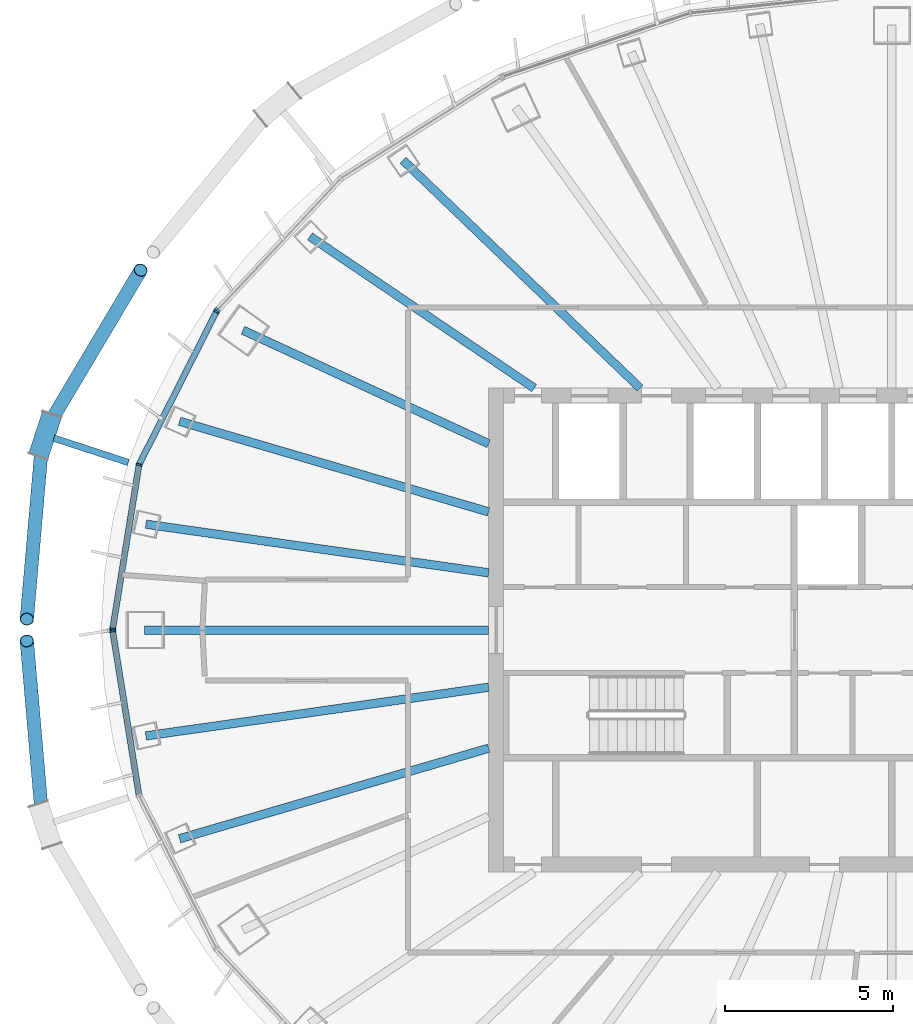
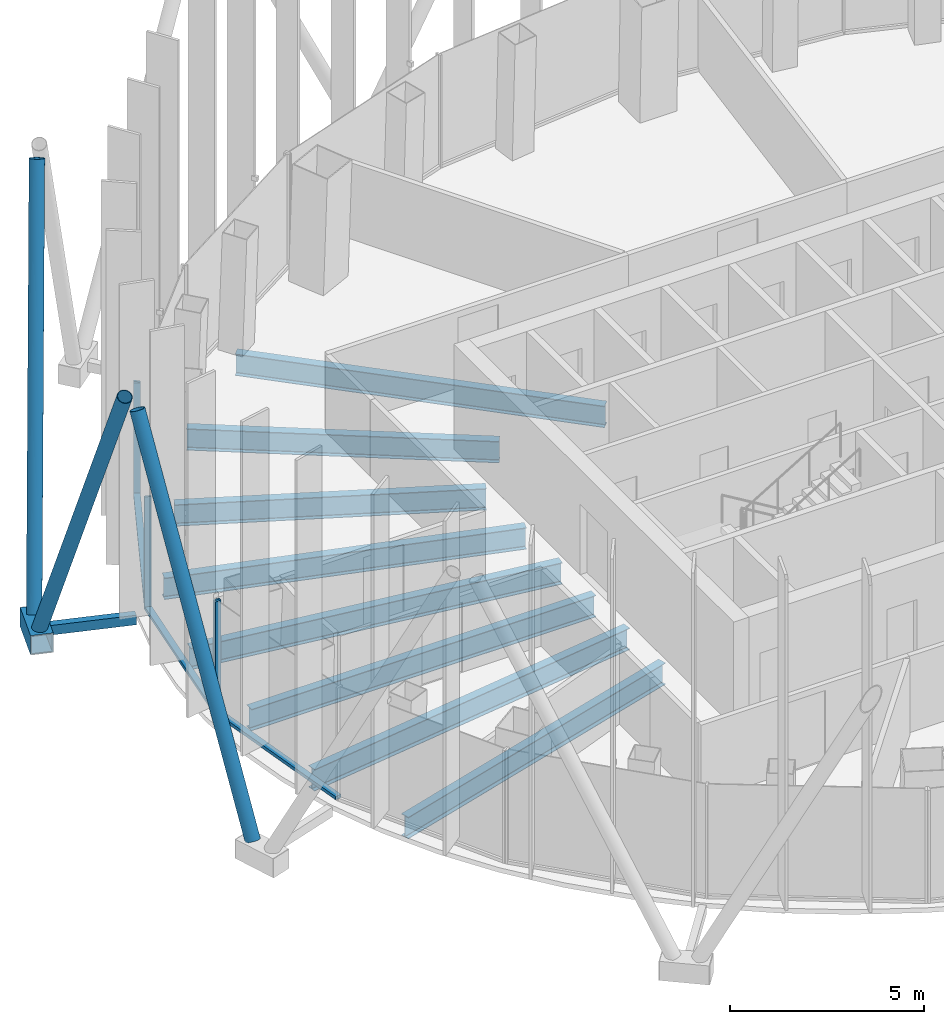
# One storey, part 4 of 19: 13 members, 8 beams, 3 elements without a shape of their own.
"""IFC4 building model written with IfcOpenShell, lengths in metres."""

from ifc_helpers import new_model, si_unit, direction, frame, origin, origin_2d, place, context, subcontext, project, spatial, rectangle, hollow_rectangle, hollow_circle, i_section, extrude, material, layer, layer_set, material_profile, profile_set, type_object, element, aggregate, save


model = new_model("IFC4")

# Units and contexts
model_context = context("Model", 3, precision=1e-05, world=origin(), true_north=direction((0.0, 1.0)))
body_context = subcontext(model_context, "Body", "Model", "MODEL_VIEW")
ifc_project = project(units=[si_unit("LENGTHUNIT", "METRE"), si_unit("AREAUNIT", "SQUARE_METRE"), si_unit("VOLUMEUNIT", "CUBIC_METRE"), si_unit("PLANEANGLEUNIT", "RADIAN"), si_unit("MASSUNIT", "GRAM", prefix="KILO")], contexts=[model_context])

# Site, building, storey
site_placement = place(None, origin())
site = spatial("IfcSite", under=ifc_project, at=site_placement, CompositionType="ELEMENT")
building_placement = place(site_placement, origin())
building = spatial("IfcBuilding", under=site, at=building_placement, Name="Siaravel Broadcast Tower", CompositionType="ELEMENT")
storey_placement = place(building_placement, frame((0.0, 0.0, 179.300048828125)))
storey = spatial("IfcBuildingStorey", under=building, at=storey_placement, Name="L43", CompositionType="ELEMENT", Elevation=179.300048828125)

# Beams
ifc_material_1 = material(Name="Steel S355", Category="steel")
ifc_material_profile_1 = material_profile(ifc_material_1, i_section(OverallWidth=0.2529296875, OverallDepth=0.677978515625, WebThickness=0.01171875, FlangeThickness=0.01611328125, FilletRadius=0.01513671875, at=origin_2d()))
ifc_profile_set_1 = profile_set([ifc_material_profile_1], Name="Steel S355")
beam_type = type_object("IfcBeamType", Name="BM-UB 686x254x125", PredefinedType="BEAM", material=ifc_profile_set_1)
beam_1_placement = place(storey_placement, frame((-14.54736328125, 13.98388671875, -0.489013671875), z_axis=(0.720935136, -0.693002547, 0.0), x_axis=(0.693002547, 0.720935136, 0.0)))
element("IfcBeam", 1, at=beam_1_placement, inside=storey, type_object=beam_type, Name="Radial beam RB14", PredefinedType="BEAM", context=body_context, shape_type="SweptSolid", body=[
    extrude(i_section(OverallWidth=0.2529296875, OverallDepth=0.677978515625, WebThickness=0.01171875, FlangeThickness=0.01611328125, FilletRadius=0.01513671875, at=origin_2d()), origin(), (0.0, 0.0, 1.0), 9.789306640625),
])
beam_2_placement = place(storey_placement, frame((-17.318115234375, 11.714599609375, -0.489013671875), z_axis=(0.828302437, -0.560281245, 0.0), x_axis=(0.560281245, 0.828302437, 0.0)))
element("IfcBeam", 2, at=beam_2_placement, inside=storey, type_object=beam_type, Name="Radial beam RB15", PredefinedType="BEAM", context=body_context, shape_type="SweptSolid", body=[
    extrude(i_section(OverallWidth=0.2529296875, OverallDepth=0.677978515625, WebThickness=0.01171875, FlangeThickness=0.01611328125, FilletRadius=0.01513671875, at=origin_2d()), origin(), (0.0, 0.0, 1.0), 8.057861328125),
])
beam_3_placement = place(storey_placement, frame((-19.31103515625, 8.923828125, -0.489013671875), z_axis=(0.907765873, -0.419477197, 0.0), x_axis=(0.419477197, 0.907765873, 0.0)))
element("IfcBeam", 3, at=beam_3_placement, inside=storey, type_object=beam_type, Name="Radial beam RB16", PredefinedType="BEAM", context=body_context, shape_type="SweptSolid", body=[
    extrude(i_section(OverallWidth=0.2529296875, OverallDepth=0.677978515625, WebThickness=0.01171875, FlangeThickness=0.01611328125, FilletRadius=0.01513671875, at=origin_2d()), origin(), (0.0, 0.0, 1.0), 8.053955078125),
])
beam_4_placement = place(storey_placement, frame((-21.197998046875, 6.212890625, -0.489013671875), z_axis=(0.959633167, -0.281254663, 0.0), x_axis=(0.281254663, 0.959633167, 0.0)))
element("IfcBeam", 4, at=beam_4_placement, inside=storey, type_object=beam_type, Name="Radial beam RB17", PredefinedType="BEAM", context=body_context, shape_type="SweptSolid", body=[
    extrude(i_section(OverallWidth=0.2529296875, OverallDepth=0.677978515625, WebThickness=0.01171875, FlangeThickness=0.01611328125, FilletRadius=0.01513671875, at=origin_2d()), origin(), (0.0, 0.0, 1.0), 9.5849609375),
])
beam_5_placement = place(storey_placement, frame((-22.199951171875, 3.15087890625, -0.489013671875), z_axis=(0.990079883, -0.140505604, 0.0), x_axis=(0.140505604, 0.990079883, 0.0)))
element("IfcBeam", 5, at=beam_5_placement, inside=storey, type_object=beam_type, Name="Radial beam RB18", PredefinedType="BEAM", context=body_context, shape_type="SweptSolid", body=[
    extrude(i_section(OverallWidth=0.2529296875, OverallDepth=0.677978515625, WebThickness=0.01171875, FlangeThickness=0.01611328125, FilletRadius=0.01513671875, at=origin_2d()), origin(), (0.0, 0.0, 1.0), 10.30224609375),
])
beam_6_placement = place(storey_placement, frame((-22.236572265625, 0.0, -0.489013671875), z_axis=(1.0, 0.0, 0.0), x_axis=(0.0, 1.0, 0.0)))
element("IfcBeam", 6, at=beam_6_placement, inside=storey, type_object=beam_type, Name="Radial beam RB19", PredefinedType="BEAM", context=body_context, shape_type="SweptSolid", body=[
    extrude(i_section(OverallWidth=0.2529296875, OverallDepth=0.677978515625, WebThickness=0.01171875, FlangeThickness=0.01611328125, FilletRadius=0.01513671875, at=origin_2d()), origin(), (0.0, 0.0, 1.0), 10.236572265625),
])
beam_7_placement = place(storey_placement, frame((-22.199951171875, -3.15087890625, -0.489013671875), z_axis=(0.990079883, 0.140505604, 0.0), x_axis=(-0.140505604, 0.990079883, 0.0)))
element("IfcBeam", 7, at=beam_7_placement, inside=storey, type_object=beam_type, Name="Radial beam RB20", PredefinedType="BEAM", context=body_context, shape_type="SweptSolid", body=[
    extrude(i_section(OverallWidth=0.2529296875, OverallDepth=0.677978515625, WebThickness=0.01171875, FlangeThickness=0.01611328125, FilletRadius=0.01513671875, at=origin_2d()), origin(), (0.0, 0.0, 1.0), 10.30224609375),
])
beam_8_placement = place(storey_placement, frame((-21.197998046875, -6.212890625, -0.489013671875), z_axis=(0.959633167, 0.281254663, 0.0), x_axis=(-0.281254663, 0.959633167, 0.0)))
element("IfcBeam", 8, at=beam_8_placement, inside=storey, type_object=beam_type, Name="Radial beam RB21", PredefinedType="BEAM", context=body_context, shape_type="SweptSolid", body=[
    extrude(i_section(OverallWidth=0.2529296875, OverallDepth=0.677978515625, WebThickness=0.01171875, FlangeThickness=0.01611328125, FilletRadius=0.01513671875, at=origin_2d()), origin(), (0.0, 0.0, 1.0), 9.5849609375),
])

# Curtain wall, member
ifc_material_2 = material(Name="Aluminium 6063-T6", Category="aluminium")
ifc_layer = layer(ifc_material_2, 0.179931640625)
ifc_layer_set = layer_set([ifc_layer], Name="Aluminium 6063-T6")
curtain_wall_type = type_object("IfcCurtainWallType", Name="Unitised curtain wall, zone 3", PredefinedType="NOTDEFINED", material=ifc_layer_set)
curtain_wall_1_placement = place(storey_placement, origin())
curtain_wall_1 = element("IfcCurtainWall", 9, at=curtain_wall_1_placement, inside=storey, type_object=curtain_wall_type, Name="L43 Unitised curtain wall, zone 3 05", PredefinedType="NOTDEFINED")
ifc_material_profile_2 = material_profile(ifc_material_2, rectangle(XDim=0.179931640625, YDim=0.06005859375, at=origin_2d()))
ifc_profile_set_2 = profile_set([ifc_material_profile_2], Name="Aluminium 6063-T6")
member_type_1 = type_object("IfcMemberType", Name="CW-Z3 mullion", PredefinedType="MULLION", material=ifc_profile_set_2)
member_1_placement = place(storey_placement, frame((-20.064208984375, 9.52978515625, 0.0), z_axis=(0.0, 0.0, 1.0), x_axis=(0.729805016, -0.683655351, 0.0)))
member_1 = element("IfcMember", 10, at=member_1_placement, type_object=member_type_1, Name="CW-Z3 mullion 3", PredefinedType="MULLION", context=body_context, shape_type="SweptSolid", body=[
    extrude(rectangle(XDim=0.179931640625, YDim=0.06005859375, at=origin_2d()), origin(), (0.0, 0.0, 1.0), 3.550048828125),
])
aggregate(curtain_wall_1, [member_1])

# Curtain wall, members
curtain_wall_2_placement = place(storey_placement, origin())
curtain_wall_2 = element("IfcCurtainWall", 11, at=curtain_wall_2_placement, inside=storey, type_object=curtain_wall_type, Name="L43 Unitised curtain wall, zone 3 06", PredefinedType="NOTDEFINED")
member_2_placement = place(storey_placement, frame((-20.09814453125, 9.48095703125, 0.0), z_axis=(0.0, 0.0, 1.0), x_axis=(0.892392002, -0.451261028, 0.0)))
member_2 = element("IfcMember", 12, at=member_2_placement, type_object=member_type_1, Name="CW-Z3 mullion 1", PredefinedType="MULLION", context=body_context, shape_type="SweptSolid", body=[
    extrude(rectangle(XDim=0.179931640625, YDim=0.06005859375, at=origin_2d()), origin(), (0.0, 0.0, 1.0), 3.550048828125),
])
member_3_placement = place(storey_placement, frame((-22.4033203125, 4.922119140625, 0.0), z_axis=(0.0, 0.0, 1.0), x_axis=(0.95117718, -0.308645383, 0.0)))
member_3 = element("IfcMember", 13, at=member_3_placement, type_object=member_type_1, Name="CW-Z3 mullion 2", PredefinedType="MULLION", context=body_context, shape_type="SweptSolid", body=[
    extrude(rectangle(XDim=0.179931640625, YDim=0.06005859375, at=origin_2d()), origin(), (0.0, 0.0, 1.0), 3.550048828125),
])
member_4_placement = place(storey_placement, frame((-23.189697265625, 0.029541015625, 0.0), z_axis=(0.0, 0.0, 1.0), x_axis=(0.987329174, -0.158685547, 0.0)))
member_4 = element("IfcMember", 14, at=member_4_placement, type_object=member_type_1, Name="CW-Z3 mullion 3", PredefinedType="MULLION", context=body_context, shape_type="SweptSolid", body=[
    extrude(rectangle(XDim=0.179931640625, YDim=0.06005859375, at=origin_2d()), origin(), (0.0, 0.0, 1.0), 3.550048828125),
])

# Curtain wall, member
curtain_wall_3_placement = place(storey_placement, origin())
curtain_wall_3 = element("IfcCurtainWall", 15, at=curtain_wall_3_placement, inside=storey, type_object=curtain_wall_type, Name="L43 Unitised curtain wall, zone 3 07", PredefinedType="NOTDEFINED")
member_5_placement = place(storey_placement, frame((-23.189697265625, -0.029541015625, 0.0), z_axis=(0.0, 0.0, 1.0), x_axis=(0.987329174, 0.158685547, 0.0)))
member_5 = element("IfcMember", 16, at=member_5_placement, type_object=member_type_1, Name="CW-Z3 mullion 1", PredefinedType="MULLION", context=body_context, shape_type="SweptSolid", body=[
    extrude(rectangle(XDim=0.179931640625, YDim=0.06005859375, at=origin_2d()), origin(), (0.0, 0.0, 1.0), 3.550048828125),
])

# Member
ifc_material_profile_3 = material_profile(ifc_material_2, rectangle(XDim=0.179931640625, YDim=0.10009765625, at=origin_2d()))
ifc_profile_set_3 = profile_set([ifc_material_profile_3], Name="Aluminium 6063-T6")
member_type_2 = type_object("IfcMemberType", Name="CW-Z3 transom", PredefinedType="USERDEFINED", material=ifc_profile_set_3)
member_6_placement = place(storey_placement, frame((-20.11181640625, 9.4541015625, 0.050048828125), z_axis=(-0.451251966, -0.892396584, 0.0), x_axis=(0.892396584, -0.451251966, 0.0)))
member_6 = element("IfcMember", 17, at=member_6_placement, type_object=member_type_2, Name="CW-Z3 transom 1", ObjectType="TRANSOM", PredefinedType="USERDEFINED", context=body_context, shape_type="SweptSolid", body=[
    extrude(rectangle(XDim=0.179931640625, YDim=0.10009765625, at=origin_2d()), origin(), (0.0, 0.0, 1.0), 5.04833984375),
])

member_7_placement = place(storey_placement, frame((-22.408203125, 4.892578125, 0.050048828125), z_axis=(-0.158686777, -0.987328976, 0.0), x_axis=(0.987328976, -0.158686777, 0.0)))
member_7 = element("IfcMember", 18, at=member_7_placement, type_object=member_type_2, Name="CW-Z3 transom 2", ObjectType="TRANSOM", PredefinedType="USERDEFINED", context=body_context, shape_type="SweptSolid", body=[
    extrude(rectangle(XDim=0.179931640625, YDim=0.10009765625, at=origin_2d()), origin(), (0.0, 0.0, 1.0), 4.8955078125),
])

aggregate(curtain_wall_2, [member_2, member_3, member_4, member_6, member_7])

member_8_placement = place(storey_placement, frame((-23.18505859375, -0.05908203125, 0.050048828125), z_axis=(0.158686777, -0.987328976, 0.0), x_axis=(0.987328976, 0.158686777, 0.0)))
member_8 = element("IfcMember", 19, at=member_8_placement, type_object=member_type_2, Name="CW-Z3 transom 1", ObjectType="TRANSOM", PredefinedType="USERDEFINED", context=body_context, shape_type="SweptSolid", body=[
    extrude(rectangle(XDim=0.179931640625, YDim=0.10009765625, at=origin_2d()), origin(), (0.0, 0.0, 1.0), 4.8955078125),
])

aggregate(curtain_wall_3, [member_5, member_8])

# Members
ifc_material_3 = material(Name="Steel S460", Category="steel")
ifc_material_profile_4 = material_profile(ifc_material_3, hollow_circle(Radius=0.203125, WallThickness=0.01611328125, at=origin_2d()))
ifc_profile_set_4 = profile_set([ifc_material_profile_4], Name="Steel S460")
member_type_3 = type_object("IfcMemberType", Name="Diagrid diagonal CHS 406.4x16", PredefinedType="BRACE", material=ifc_profile_set_4)
member_9_placement = place(storey_placement, frame((-25.097412109375, 6.10400390625, 0.070068359375), z_axis=(0.231536784, 0.389110429, 0.891618636), x_axis=(-0.859367197, 0.511358993, 0.0)))
element("IfcMember", 20, at=member_9_placement, inside=storey, type_object=member_type_3, Name="Diagrid diagonal R18 station 33C", PredefinedType="BRACE", context=body_context, shape_type="SweptSolid", body=[
    extrude(hollow_circle(Radius=0.203125, WallThickness=0.01611328125, at=origin_2d()), origin(), (0.0, 0.0, 1.0), 11.843505859375),
])
for number, where, z_axis, x_axis, name in (
    (21, (-25.298583984375, 5.489013671875, 0.070068359375), (-0.037895423, -0.439097128, 0.897640044), (0.996296567, -0.085983436, 0.0), "Diagrid diagonal R18 station 33A"),
    (22, (-25.298583984375, -5.489013671875, 0.070068359375), (-0.037895423, 0.439097128, 0.897640044), (-0.996296567, -0.085983436, 0.0), "Diagrid diagonal R18 station 39C"),
):
    element("IfcMember", number, at=place(storey_placement, frame(where, z_axis=z_axis, x_axis=x_axis)), inside=storey, type_object=member_type_3, Name=name, PredefinedType="BRACE", context=body_context, shape_type="SweptSolid", body=[
        extrude(hollow_circle(Radius=0.203125, WallThickness=0.01611328125, at=origin_2d()), origin(), (0.0, 0.0, 1.0), 11.763916015625),
    ])
ifc_material_profile_5 = material_profile(ifc_material_3, hollow_rectangle(XDim=0.60009765625, YDim=0.60009765625, WallThickness=0.031982421875, at=origin_2d()))
ifc_profile_set_5 = profile_set([ifc_material_profile_5], Name="Steel S460")
member_type_4 = type_object("IfcMemberType", Name="Diagrid node BOX 600x600x32", PredefinedType="USERDEFINED", material=ifc_profile_set_5)
member_10_placement = place(storey_placement, frame((-24.9970703125, 6.4111328125, -0.199951171875), z_axis=(-0.310899553, -0.950442775, 0.0), x_axis=(0.950442775, -0.310899553, 0.0)))
element("IfcMember", 23, at=member_10_placement, inside=storey, type_object=member_type_4, Name="Diagrid node R18 station 33", ObjectType="DIAGRID NODE", PredefinedType="USERDEFINED", context=body_context, shape_type="SweptSolid", body=[
    extrude(hollow_rectangle(XDim=0.60009765625, YDim=0.60009765625, WallThickness=0.031982421875, at=origin_2d()), origin(), (0.0, 0.0, 1.0), 1.29345703125),
])
ifc_material_profile_6 = material_profile(ifc_material_3, hollow_rectangle(XDim=0.199951171875, YDim=0.300048828125, WallThickness=0.012451171875, at=origin_2d()))
ifc_profile_set_6 = profile_set([ifc_material_profile_6], Name="Steel S460")
member_type_5 = type_object("IfcMemberType", Name="Diagrid node arm RHS 300x200x12.5", PredefinedType="STRUT", material=ifc_profile_set_6)
member_11_placement = place(storey_placement, frame((-22.72705078125, 4.988037109375, -0.199951171875), z_axis=(-0.950439361, 0.310909987, 0.0), x_axis=(-0.310909987, -0.950439361, 0.0)))
element("IfcMember", 24, at=member_11_placement, inside=storey, type_object=member_type_5, Name="Node arm R18 station 33", PredefinedType="STRUT", context=body_context, shape_type="SweptSolid", body=[
    extrude(hollow_rectangle(XDim=0.199951171875, YDim=0.300048828125, WallThickness=0.012451171875, at=origin_2d()), origin(), (0.0, 0.0, 1.0), 2.329833984375),
])

save(model, "model.ifc")
